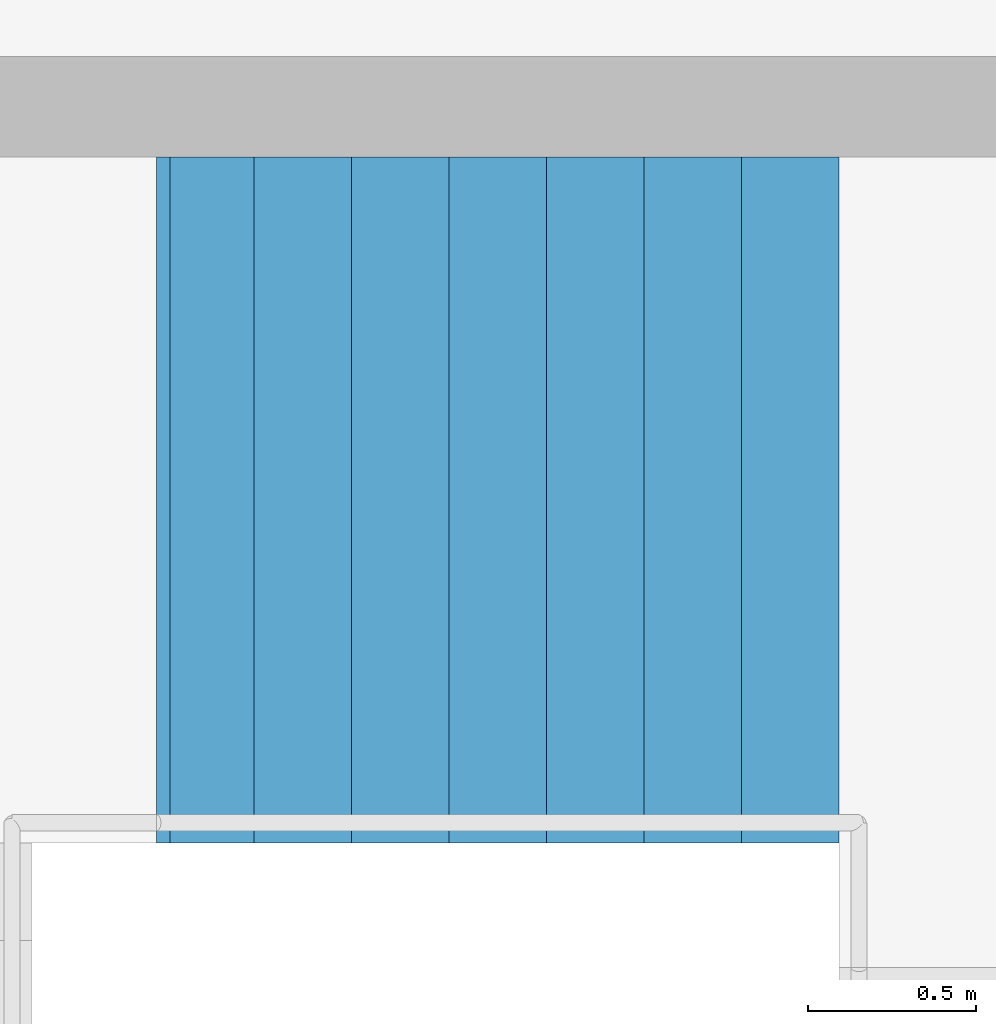
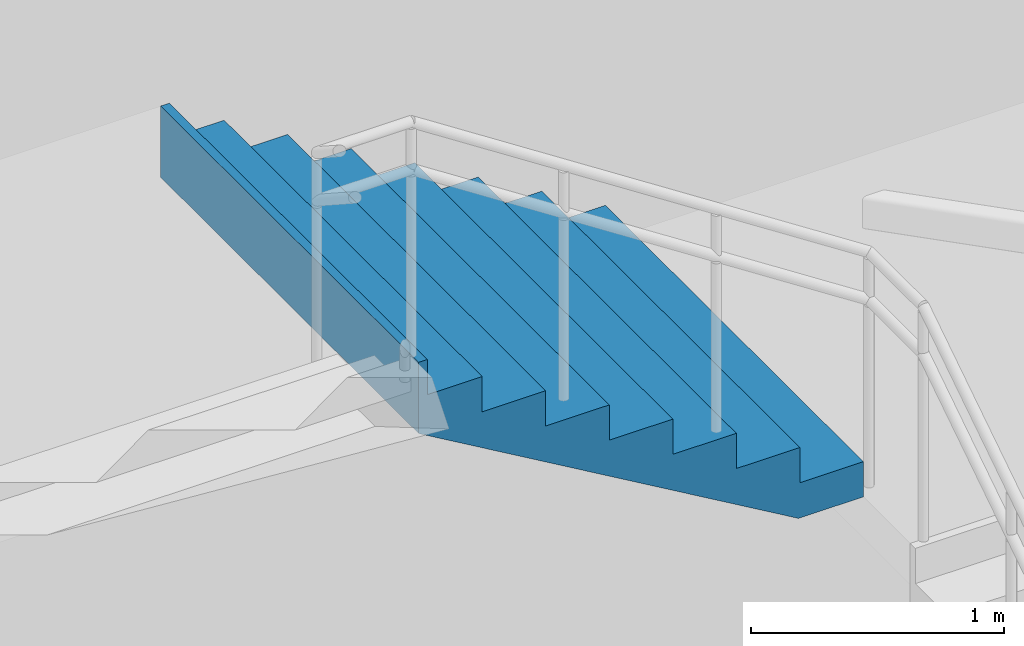
# One storey, part 45 of 50: 1 stair flight, 1 element without a shape of its own.
"""IFC4 building model written with IfcOpenShell, lengths in metres."""

from ifc_helpers import new_model, si_unit, direction, frame, origin, place, context, subcontext, project, spatial, triangles, material, type_object, element, aggregate, save


model = new_model("IFC4")

# Units and contexts
model_context = context("Model", 3, precision=1e-05, world=origin(), true_north=direction((0.0, 1.0)))
body_context = subcontext(model_context, "Body", "Model", "MODEL_VIEW")
ifc_project = project(units=[si_unit("LENGTHUNIT", "METRE"), si_unit("AREAUNIT", "SQUARE_METRE"), si_unit("VOLUMEUNIT", "CUBIC_METRE"), si_unit("PLANEANGLEUNIT", "RADIAN"), si_unit("MASSUNIT", "GRAM", prefix="KILO")], contexts=[model_context])

# Site, building, storey
site_placement = place(None, origin())
site = spatial("IfcSite", under=ifc_project, at=site_placement, CompositionType="ELEMENT")
building_placement = place(site_placement, origin())
building = spatial("IfcBuilding", under=site, at=building_placement, Name="Sillaruma Civic Art Gallery", CompositionType="ELEMENT")
storey_placement = place(building_placement, origin())
storey = spatial("IfcBuildingStorey", under=building, at=storey_placement, Name="L00", CompositionType="ELEMENT", Elevation=0.0)

# Stair, stair flight
ifc_material = material(Name="Concrete H35 (35 MPa)", Category="concrete")
stair_type = type_object("IfcStairType", Name="STR-4F-32", PredefinedType="USERDEFINED", material=ifc_material)
stair_placement = place(storey_placement, origin())
stair = element("IfcStair", 1, at=stair_placement, inside=storey, type_object=stair_type, Name="Protected Exit Stair ST-05 (East Wing) (L00)", ObjectType="THREE_RETURN_STAIR", PredefinedType="USERDEFINED")
stair_flight_type = type_object("IfcStairFlightType", Name="SFL-STR-8", PredefinedType="STRAIGHT", material=ifc_material)
stair_flight_placement = place(storey_placement, frame((146.60009765625, 16.860107421875, 2.719970703125), z_axis=(0.0, 0.0, 1.0), x_axis=(-1.0, 0.0, 0.0)))
stair_flight = element("IfcStairFlight", 2, at=stair_flight_placement, type_object=stair_flight_type, Name="ST-05 flight 3", NumberOfRisers=8, NumberOfTreads=7, PredefinedType="STRAIGHT", RiserHeight=0.17, TreadLength=0.29, context=body_context, shape_type="Tessellation", body=[
    triangles([(0.0, -1.02001953125, 0.0), (0.29, -1.02001953125, 0.0), (0.296443, -1.02001953125, 0.0), (0.58, -1.02001953125, 0.166223), (0.87, -1.02001953125, 0.336223), (1.16, -1.02001953125, 0.506223), (1.45, -1.02001953125, 0.676223), (1.74, -1.02001953125, 0.846223), (1.990029, -1.02001953125, 0.992792), (2.030029, -1.02001953125, 1.01624), (2.030029, -1.02001953125, 1.36), (1.990029, -1.02001953125, 1.36), (1.990029, -1.02001953125, 1.19), (1.74, -1.02001953125, 1.19), (1.74, -1.02001953125, 1.02), (1.45, -1.02001953125, 1.02), (1.45, -1.02001953125, 0.85), (1.16, -1.02001953125, 0.85), (1.16, -1.02001953125, 0.68), (0.87, -1.02001953125, 0.68), (0.87, -1.02001953125, 0.51), (0.58, -1.02001953125, 0.51), (0.58, -1.02001953125, 0.34), (0.296443, -1.02001953125, 0.34), (0.29, -1.02001953125, 0.34), (0.29, -1.02001953125, 0.17), (0.0, -1.02001953125, 0.17), (0.0, -0.05, 0.0), (0.29, -0.05, 0.0), (0.296443, -0.05, 0.0), (0.58, -0.05, 0.166223), (0.87, -0.05, 0.336223), (1.16, -0.05, 0.506223), (1.45, -0.05, 0.676223), (1.74, -0.05, 0.846223), (1.990029, -0.05, 0.992792), (2.030029, -0.05, 1.01624), (2.030029, -0.05, 1.36), (1.990029, -0.05, 1.36), (1.990029, -0.05, 1.19), (1.74, -0.05, 1.19), (1.74, -0.05, 1.02), (1.45, -0.05, 1.02), (1.45, -0.05, 0.85), (1.16, -0.05, 0.85), (1.16, -0.05, 0.68), (0.87, -0.05, 0.68), (0.87, -0.05, 0.51), (0.58, -0.05, 0.51), (0.58, -0.05, 0.34), (0.296443, -0.05, 0.34), (0.29, -0.05, 0.34), (0.29, -0.05, 0.17), (0.0, -0.05, 0.17), (0.0, -0.0375, 0.0), (0.29, -0.0375, 0.0), (0.296443, -0.0375, 0.0), (0.58, -0.0375, 0.166223), (0.87, -0.0375, 0.336223), (1.16, -0.0375, 0.506223), (1.45, -0.0375, 0.676223), (1.74, -0.0375, 0.846223), (1.990029, -0.0375, 0.992792), (2.030029, -0.0375, 1.01624), (2.030029, -0.0375, 1.36), (1.990029, -0.0375, 1.36), (1.990029, -0.0375, 1.19), (1.74, -0.0375, 1.19), (1.74, -0.0375, 1.02), (1.45, -0.0375, 1.02), (1.45, -0.0375, 0.85), (1.16, -0.0375, 0.85), (1.16, -0.0375, 0.68), (0.87, -0.0375, 0.68), (0.87, -0.0375, 0.51), (0.58, -0.0375, 0.51), (0.58, -0.0375, 0.34), (0.296443, -0.0375, 0.34), (0.29, -0.0375, 0.34), (0.29, -0.0375, 0.17), (0.0, -0.0375, 0.17), (0.0, -0.025, 0.0), (0.29, -0.025, 0.0), (0.296443, -0.025, 0.0), (0.58, -0.025, 0.166223), (0.87, -0.025, 0.336223), (1.16, -0.025, 0.506223), (1.45, -0.025, 0.676223), (1.74, -0.025, 0.846223), (1.990029, -0.025, 0.992792), (2.030029, -0.025, 1.01624), (2.030029, -0.025, 1.36), (1.990029, -0.025, 1.36), (1.990029, -0.025, 1.19), (1.74, -0.025, 1.19), (1.74, -0.025, 1.02), (1.45, -0.025, 1.02), (1.45, -0.025, 0.85), (1.16, -0.025, 0.85), (1.16, -0.025, 0.68), (0.87, -0.025, 0.68), (0.87, -0.025, 0.51), (0.58, -0.025, 0.51), (0.58, -0.025, 0.34), (0.296443, -0.025, 0.34), (0.29, -0.025, 0.34), (0.29, -0.025, 0.17), (0.0, -0.025, 0.17), (0.0, -0.0125, 0.0), (0.29, -0.0125, 0.0), (0.296443, -0.0125, 0.0), (0.58, -0.0125, 0.166223), (0.87, -0.0125, 0.336223), (1.16, -0.0125, 0.506223), (1.45, -0.0125, 0.676223), (1.74, -0.0125, 0.846223), (1.990029, -0.0125, 0.992792), (2.030029, -0.0125, 1.01624), (2.030029, -0.0125, 1.36), (1.990029, -0.0125, 1.36), (1.990029, -0.0125, 1.19), (1.74, -0.0125, 1.19), (1.74, -0.0125, 1.02), (1.45, -0.0125, 1.02), (1.45, -0.0125, 0.85), (1.16, -0.0125, 0.85), (1.16, -0.0125, 0.68), (0.87, -0.0125, 0.68), (0.87, -0.0125, 0.51), (0.58, -0.0125, 0.51), (0.58, -0.0125, 0.34), (0.296443, -0.0125, 0.34), (0.29, -0.0125, 0.34), (0.29, -0.0125, 0.17), (0.0, -0.0125, 0.17), (0.0, 0.0, 0.0), (0.29, 0.0, 0.0), (0.296443, 0.0, 0.0), (0.58, 0.0, 0.166223), (0.87, 0.0, 0.336223), (1.16, 0.0, 0.506223), (1.45, 0.0, 0.676223), (1.74, 0.0, 0.846223), (1.990029, 0.0, 0.992792), (2.030029, 0.0, 1.01624), (2.030029, 0.0, 1.36), (1.990029, 0.0, 1.36), (1.990029, 0.0, 1.19), (1.74, 0.0, 1.19), (1.74, 0.0, 1.02), (1.45, 0.0, 1.02), (1.45, 0.0, 0.85), (1.16, 0.0, 0.85), (1.16, 0.0, 0.68), (0.87, 0.0, 0.68), (0.87, 0.0, 0.51), (0.58, 0.0, 0.51), (0.58, 0.0, 0.34), (0.296443, 0.0, 0.34), (0.29, 0.0, 0.34), (0.29, 0.0, 0.17), (0.0, 0.0, 0.17), (0.0, 0.0125, 0.0), (0.29, 0.0125, 0.0), (0.296443, 0.0125, 0.0), (0.58, 0.0125, 0.166223), (0.87, 0.0125, 0.336223), (1.16, 0.0125, 0.506223), (1.45, 0.0125, 0.676223), (1.74, 0.0125, 0.846223), (1.990029, 0.0125, 0.992792), (2.030029, 0.0125, 1.01624), (2.030029, 0.0125, 1.36), (1.990029, 0.0125, 1.36), (1.990029, 0.0125, 1.19), (1.74, 0.0125, 1.19), (1.74, 0.0125, 1.02), (1.45, 0.0125, 1.02), (1.45, 0.0125, 0.85), (1.16, 0.0125, 0.85), (1.16, 0.0125, 0.68), (0.87, 0.0125, 0.68), (0.87, 0.0125, 0.51), (0.58, 0.0125, 0.51), (0.58, 0.0125, 0.34), (0.296443, 0.0125, 0.34), (0.29, 0.0125, 0.34), (0.29, 0.0125, 0.17), (0.0, 0.0125, 0.17), (0.0, 0.025, 0.0), (0.29, 0.025, 0.0), (0.296443, 0.025, 0.0), (0.58, 0.025, 0.166223), (0.87, 0.025, 0.336223), (1.16, 0.025, 0.506223), (1.45, 0.025, 0.676223), (1.74, 0.025, 0.846223), (1.990029, 0.025, 0.992792), (2.030029, 0.025, 1.01624), (2.030029, 0.025, 1.36), (1.990029, 0.025, 1.36), (1.990029, 0.025, 1.19), (1.74, 0.025, 1.19), (1.74, 0.025, 1.02), (1.45, 0.025, 1.02), (1.45, 0.025, 0.85), (1.16, 0.025, 0.85), (1.16, 0.025, 0.68), (0.87, 0.025, 0.68), (0.87, 0.025, 0.51), (0.58, 0.025, 0.51), (0.58, 0.025, 0.34), (0.296443, 0.025, 0.34), (0.29, 0.025, 0.34), (0.29, 0.025, 0.17), (0.0, 0.025, 0.17), (0.0, 0.0375, 0.0), (0.29, 0.0375, 0.0), (0.296443, 0.0375, 0.0), (0.58, 0.0375, 0.166223), (0.87, 0.0375, 0.336223), (1.16, 0.0375, 0.506223), (1.45, 0.0375, 0.676223), (1.74, 0.0375, 0.846223), (1.990029, 0.0375, 0.992792), (2.030029, 0.0375, 1.01624), (2.030029, 0.0375, 1.36), (1.990029, 0.0375, 1.36), (1.990029, 0.0375, 1.19), (1.74, 0.0375, 1.19), (1.74, 0.0375, 1.02), (1.45, 0.0375, 1.02), (1.45, 0.0375, 0.85), (1.16, 0.0375, 0.85), (1.16, 0.0375, 0.68), (0.87, 0.0375, 0.68), (0.87, 0.0375, 0.51), (0.58, 0.0375, 0.51), (0.58, 0.0375, 0.34), (0.296443, 0.0375, 0.34), (0.29, 0.0375, 0.34), (0.29, 0.0375, 0.17), (0.0, 0.0375, 0.17), (0.0, 0.05, 0.0), (0.29, 0.05, 0.0), (0.296443, 0.05, 0.0), (0.58, 0.05, 0.166223), (0.87, 0.05, 0.336223), (1.16, 0.05, 0.506223), (1.45, 0.05, 0.676223), (1.74, 0.05, 0.846223), (1.990029, 0.05, 0.992792), (2.030029, 0.05, 1.01624), (2.030029, 0.05, 1.36), (1.990029, 0.05, 1.36), (1.990029, 0.05, 1.19), (1.74, 0.05, 1.19), (1.74, 0.05, 1.02), (1.45, 0.05, 1.02), (1.45, 0.05, 0.85), (1.16, 0.05, 0.85), (1.16, 0.05, 0.68), (0.87, 0.05, 0.68), (0.87, 0.05, 0.51), (0.58, 0.05, 0.51), (0.58, 0.05, 0.34), (0.296443, 0.05, 0.34), (0.29, 0.05, 0.34), (0.29, 0.05, 0.17), (0.0, 0.05, 0.17), (0.0, 1.02001953125, 0.0), (0.29, 1.02001953125, 0.0), (0.296443, 1.02001953125, 0.0), (0.58, 1.02001953125, 0.166223), (0.87, 1.02001953125, 0.336223), (1.16, 1.02001953125, 0.506223), (1.45, 1.02001953125, 0.676223), (1.74, 1.02001953125, 0.846223), (1.990029, 1.02001953125, 0.992792), (2.030029, 1.02001953125, 1.01624), (2.030029, 1.02001953125, 1.36), (1.990029, 1.02001953125, 1.36), (1.990029, 1.02001953125, 1.19), (1.74, 1.02001953125, 1.19), (1.74, 1.02001953125, 1.02), (1.45, 1.02001953125, 1.02), (1.45, 1.02001953125, 0.85), (1.16, 1.02001953125, 0.85), (1.16, 1.02001953125, 0.68), (0.87, 1.02001953125, 0.68), (0.87, 1.02001953125, 0.51), (0.58, 1.02001953125, 0.51), (0.58, 1.02001953125, 0.34), (0.296443, 1.02001953125, 0.34), (0.29, 1.02001953125, 0.34), (0.29, 1.02001953125, 0.17), (0.0, 1.02001953125, 0.17)], [[1, 2, 26], [1, 26, 27], [2, 3, 24], [2, 24, 26], [26, 24, 25], [3, 4, 23], [3, 23, 24], [4, 5, 21], [4, 21, 23], [23, 21, 22], [5, 6, 19], [5, 19, 21], [21, 19, 20], [6, 7, 17], [6, 17, 19], [19, 17, 18], [7, 8, 15], [7, 15, 17], [17, 15, 16], [8, 9, 13], [8, 13, 15], [15, 13, 14], [9, 10, 11], [9, 11, 13], [13, 11, 12], [296, 272, 271], [297, 296, 271], [294, 273, 272], [296, 294, 272], [295, 294, 296], [293, 274, 273], [294, 293, 273], [291, 275, 274], [293, 291, 274], [292, 291, 293], [289, 276, 275], [291, 289, 275], [290, 289, 291], [287, 277, 276], [289, 287, 276], [288, 287, 289], [285, 278, 277], [287, 285, 277], [286, 285, 287], [283, 279, 278], [285, 283, 278], [284, 283, 285], [281, 280, 279], [283, 281, 279], [282, 281, 283], [2, 1, 28], [2, 28, 29], [3, 2, 29], [3, 29, 30], [4, 3, 30], [4, 30, 31], [5, 4, 31], [5, 31, 32], [6, 5, 32], [6, 32, 33], [7, 6, 33], [7, 33, 34], [8, 7, 34], [8, 34, 35], [9, 8, 35], [9, 35, 36], [10, 9, 36], [10, 36, 37], [11, 10, 37], [11, 37, 38], [12, 11, 38], [12, 38, 39], [13, 12, 39], [13, 39, 40], [14, 13, 40], [14, 40, 41], [15, 14, 41], [15, 41, 42], [16, 15, 42], [16, 42, 43], [17, 16, 43], [17, 43, 44], [18, 17, 44], [18, 44, 45], [19, 18, 45], [19, 45, 46], [20, 19, 46], [20, 46, 47], [21, 20, 47], [21, 47, 48], [22, 21, 48], [22, 48, 49], [23, 22, 49], [23, 49, 50], [24, 23, 50], [24, 50, 51], [25, 24, 51], [25, 51, 52], [26, 25, 52], [26, 52, 53], [27, 26, 53], [27, 53, 54], [1, 27, 54], [1, 54, 28], [29, 28, 55], [29, 55, 56], [30, 29, 56], [30, 56, 57], [31, 30, 57], [31, 57, 58], [32, 31, 58], [32, 58, 59], [33, 32, 59], [33, 59, 60], [34, 33, 60], [34, 60, 61], [35, 34, 61], [35, 61, 62], [36, 35, 62], [36, 62, 63], [37, 36, 63], [37, 63, 64], [38, 37, 64], [38, 64, 65], [39, 38, 65], [39, 65, 66], [40, 39, 66], [40, 66, 67], [41, 40, 67], [41, 67, 68], [42, 41, 68], [42, 68, 69], [43, 42, 69], [43, 69, 70], [44, 43, 70], [44, 70, 71], [45, 44, 71], [45, 71, 72], [46, 45, 72], [46, 72, 73], [47, 46, 73], [47, 73, 74], [48, 47, 74], [48, 74, 75], [49, 48, 75], [49, 75, 76], [50, 49, 76], [50, 76, 77], [51, 50, 77], [51, 77, 78], [52, 51, 78], [52, 78, 79], [53, 52, 79], [53, 79, 80], [54, 53, 80], [54, 80, 81], [28, 54, 81], [28, 81, 55], [56, 55, 82], [56, 82, 83], [57, 56, 83], [57, 83, 84], [58, 57, 84], [58, 84, 85], [59, 58, 85], [59, 85, 86], [60, 59, 86], [60, 86, 87], [61, 60, 87], [61, 87, 88], [62, 61, 88], [62, 88, 89], [63, 62, 89], [63, 89, 90], [64, 63, 90], [64, 90, 91], [65, 64, 91], [65, 91, 92], [66, 65, 92], [66, 92, 93], [67, 66, 93], [67, 93, 94], [68, 67, 94], [68, 94, 95], [69, 68, 95], [69, 95, 96], [70, 69, 96], [70, 96, 97], [71, 70, 97], [71, 97, 98], [72, 71, 98], [72, 98, 99], [73, 72, 99], [73, 99, 100], [74, 73, 100], [74, 100, 101], [75, 74, 101], [75, 101, 102], [76, 75, 102], [76, 102, 103], [77, 76, 103], [77, 103, 104], [78, 77, 104], [78, 104, 105], [79, 78, 105], [79, 105, 106], [80, 79, 106], [80, 106, 107], [81, 80, 107], [81, 107, 108], [55, 81, 108], [55, 108, 82], [83, 82, 109], [83, 109, 110], [84, 83, 110], [84, 110, 111], [85, 84, 111], [85, 111, 112], [86, 85, 112], [86, 112, 113], [87, 86, 113], [87, 113, 114], [88, 87, 114], [88, 114, 115], [89, 88, 115], [89, 115, 116], [90, 89, 116], [90, 116, 117], [91, 90, 117], [91, 117, 118], [92, 91, 118], [92, 118, 119], [93, 92, 119], [93, 119, 120], [94, 93, 120], [94, 120, 121], [95, 94, 121], [95, 121, 122], [96, 95, 122], [96, 122, 123], [97, 96, 123], [97, 123, 124], [98, 97, 124], [98, 124, 125], [99, 98, 125], [99, 125, 126], [100, 99, 126], [100, 126, 127], [101, 100, 127], [101, 127, 128], [102, 101, 128], [102, 128, 129], [103, 102, 129], [103, 129, 130], [104, 103, 130], [104, 130, 131], [105, 104, 131], [105, 131, 132], [106, 105, 132], [106, 132, 133], [107, 106, 133], [107, 133, 134], [108, 107, 134], [108, 134, 135], [82, 108, 135], [82, 135, 109], [110, 109, 136], [110, 136, 137], [111, 110, 137], [111, 137, 138], [112, 111, 138], [112, 138, 139], [113, 112, 139], [113, 139, 140], [114, 113, 140], [114, 140, 141], [115, 114, 141], [115, 141, 142], [116, 115, 142], [116, 142, 143], [117, 116, 143], [117, 143, 144], [118, 117, 144], [118, 144, 145], [119, 118, 145], [119, 145, 146], [120, 119, 146], [120, 146, 147], [121, 120, 147], [121, 147, 148], [122, 121, 148], [122, 148, 149], [123, 122, 149], [123, 149, 150], [124, 123, 150], [124, 150, 151], [125, 124, 151], [125, 151, 152], [126, 125, 152], [126, 152, 153], [127, 126, 153], [127, 153, 154], [128, 127, 154], [128, 154, 155], [129, 128, 155], [129, 155, 156], [130, 129, 156], [130, 156, 157], [131, 130, 157], [131, 157, 158], [132, 131, 158], [132, 158, 159], [133, 132, 159], [133, 159, 160], [134, 133, 160], [134, 160, 161], [135, 134, 161], [135, 161, 162], [109, 135, 162], [109, 162, 136], [137, 136, 163], [137, 163, 164], [138, 137, 164], [138, 164, 165], [139, 138, 165], [139, 165, 166], [140, 139, 166], [140, 166, 167], [141, 140, 167], [141, 167, 168], [142, 141, 168], [142, 168, 169], [143, 142, 169], [143, 169, 170], [144, 143, 170], [144, 170, 171], [145, 144, 171], [145, 171, 172], [146, 145, 172], [146, 172, 173], [147, 146, 173], [147, 173, 174], [148, 147, 174], [148, 174, 175], [149, 148, 175], [149, 175, 176], [150, 149, 176], [150, 176, 177], [151, 150, 177], [151, 177, 178], [152, 151, 178], [152, 178, 179], [153, 152, 179], [153, 179, 180], [154, 153, 180], [154, 180, 181], [155, 154, 181], [155, 181, 182], [156, 155, 182], [156, 182, 183], [157, 156, 183], [157, 183, 184], [158, 157, 184], [158, 184, 185], [159, 158, 185], [159, 185, 186], [160, 159, 186], [160, 186, 187], [161, 160, 187], [161, 187, 188], [162, 161, 188], [162, 188, 189], [136, 162, 189], [136, 189, 163], [164, 163, 190], [164, 190, 191], [165, 164, 191], [165, 191, 192], [166, 165, 192], [166, 192, 193], [167, 166, 193], [167, 193, 194], [168, 167, 194], [168, 194, 195], [169, 168, 195], [169, 195, 196], [170, 169, 196], [170, 196, 197], [171, 170, 197], [171, 197, 198], [172, 171, 198], [172, 198, 199], [173, 172, 199], [173, 199, 200], [174, 173, 200], [174, 200, 201], [175, 174, 201], [175, 201, 202], [176, 175, 202], [176, 202, 203], [177, 176, 203], [177, 203, 204], [178, 177, 204], [178, 204, 205], [179, 178, 205], [179, 205, 206], [180, 179, 206], [180, 206, 207], [181, 180, 207], [181, 207, 208], [182, 181, 208], [182, 208, 209], [183, 182, 209], [183, 209, 210], [184, 183, 210], [184, 210, 211], [185, 184, 211], [185, 211, 212], [186, 185, 212], [186, 212, 213], [187, 186, 213], [187, 213, 214], [188, 187, 214], [188, 214, 215], [189, 188, 215], [189, 215, 216], [163, 189, 216], [163, 216, 190], [191, 190, 217], [191, 217, 218], [192, 191, 218], [192, 218, 219], [193, 192, 219], [193, 219, 220], [194, 193, 220], [194, 220, 221], [195, 194, 221], [195, 221, 222], [196, 195, 222], [196, 222, 223], [197, 196, 223], [197, 223, 224], [198, 197, 224], [198, 224, 225], [199, 198, 225], [199, 225, 226], [200, 199, 226], [200, 226, 227], [201, 200, 227], [201, 227, 228], [202, 201, 228], [202, 228, 229], [203, 202, 229], [203, 229, 230], [204, 203, 230], [204, 230, 231], [205, 204, 231], [205, 231, 232], [206, 205, 232], [206, 232, 233], [207, 206, 233], [207, 233, 234], [208, 207, 234], [208, 234, 235], [209, 208, 235], [209, 235, 236], [210, 209, 236], [210, 236, 237], [211, 210, 237], [211, 237, 238], [212, 211, 238], [212, 238, 239], [213, 212, 239], [213, 239, 240], [214, 213, 240], [214, 240, 241], [215, 214, 241], [215, 241, 242], [216, 215, 242], [216, 242, 243], [190, 216, 243], [190, 243, 217], [218, 217, 244], [218, 244, 245], [219, 218, 245], [219, 245, 246], [220, 219, 246], [220, 246, 247], [221, 220, 247], [221, 247, 248], [222, 221, 248], [222, 248, 249], [223, 222, 249], [223, 249, 250], [224, 223, 250], [224, 250, 251], [225, 224, 251], [225, 251, 252], [226, 225, 252], [226, 252, 253], [227, 226, 253], [227, 253, 254], [228, 227, 254], [228, 254, 255], [229, 228, 255], [229, 255, 256], [230, 229, 256], [230, 256, 257], [231, 230, 257], [231, 257, 258], [232, 231, 258], [232, 258, 259], [233, 232, 259], [233, 259, 260], [234, 233, 260], [234, 260, 261], [235, 234, 261], [235, 261, 262], [236, 235, 262], [236, 262, 263], [237, 236, 263], [237, 263, 264], [238, 237, 264], [238, 264, 265], [239, 238, 265], [239, 265, 266], [240, 239, 266], [240, 266, 267], [241, 240, 267], [241, 267, 268], [242, 241, 268], [242, 268, 269], [243, 242, 269], [243, 269, 270], [217, 243, 270], [217, 270, 244], [245, 244, 271], [245, 271, 272], [246, 245, 272], [246, 272, 273], [247, 246, 273], [247, 273, 274], [248, 247, 274], [248, 274, 275], [249, 248, 275], [249, 275, 276], [250, 249, 276], [250, 276, 277], [251, 250, 277], [251, 277, 278], [252, 251, 278], [252, 278, 279], [253, 252, 279], [253, 279, 280], [254, 253, 280], [254, 280, 281], [255, 254, 281], [255, 281, 282], [256, 255, 282], [256, 282, 283], [257, 256, 283], [257, 283, 284], [258, 257, 284], [258, 284, 285], [259, 258, 285], [259, 285, 286], [260, 259, 286], [260, 286, 287], [261, 260, 287], [261, 287, 288], [262, 261, 288], [262, 288, 289], [263, 262, 289], [263, 289, 290], [264, 263, 290], [264, 290, 291], [265, 264, 291], [265, 291, 292], [266, 265, 292], [266, 292, 293], [267, 266, 293], [267, 293, 294], [268, 267, 294], [268, 294, 295], [269, 268, 295], [269, 295, 296], [270, 269, 296], [270, 296, 297], [244, 270, 297], [244, 297, 271]], closed=True),
])
aggregate(stair, [stair_flight])

save(model, "model.ifc")
